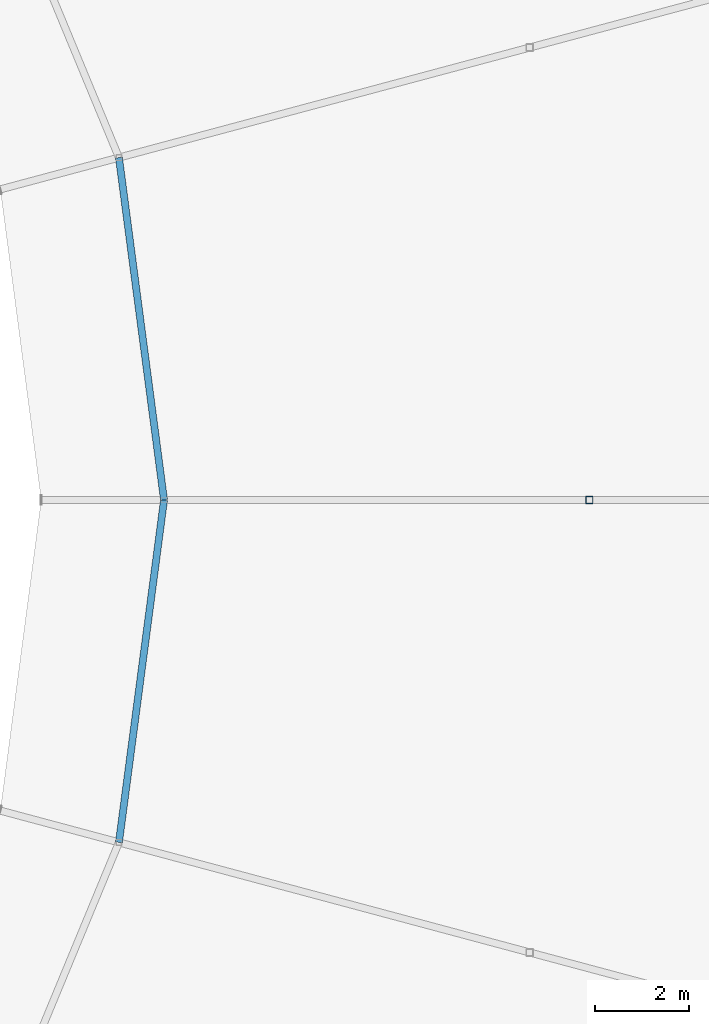
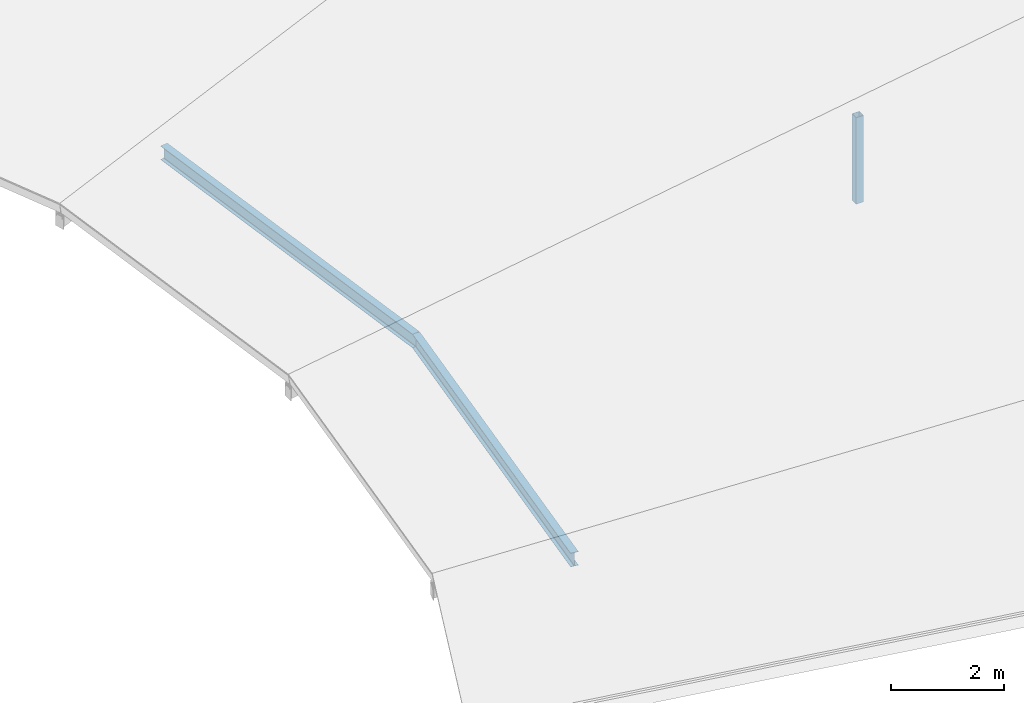
# One storey, part 113 of 200: 2 beams, 1 member.
"""IFC4 building model written with IfcOpenShell, lengths in metres."""

from ifc_helpers import new_model, si_unit, direction, frame, origin, origin_2d, place, context, subcontext, project, spatial, hollow_rectangle, i_section, extrude, material, material_profile, profile_set, type_object, element, save


model = new_model("IFC4")

# Units and contexts
model_context = context("Model", 3, precision=1e-05, world=origin(), true_north=direction((0.0, 1.0)))
body_context = subcontext(model_context, "Body", "Model", "MODEL_VIEW")
ifc_project = project(units=[si_unit("LENGTHUNIT", "METRE"), si_unit("AREAUNIT", "SQUARE_METRE"), si_unit("VOLUMEUNIT", "CUBIC_METRE"), si_unit("PLANEANGLEUNIT", "RADIAN"), si_unit("MASSUNIT", "GRAM", prefix="KILO")], contexts=[model_context])

# Site, building, storey
site_placement = place(None, origin())
site = spatial("IfcSite", under=ifc_project, at=site_placement, CompositionType="ELEMENT")
building_placement = place(site_placement, origin())
building = spatial("IfcBuilding", under=site, at=building_placement, Name="Vondelvale Polytechnic", CompositionType="ELEMENT")
storey_placement = place(building_placement, frame((0.0, 0.0, 13.800048828125)))
storey = spatial("IfcBuildingStorey", under=building, at=storey_placement, Name="L03", CompositionType="ELEMENT", Elevation=13.800048828125)

# Beams
ifc_material_1 = material(Name="Steel 300PLUS (fy = 300 MPa)", Category="steel")
ifc_material_profile_1 = material_profile(ifc_material_1, i_section(OverallWidth=0.14892578125, OverallDepth=0.298095703125, WebThickness=0.005615234375, FlangeThickness=0.008056640625, FilletRadius=0.011474609375, at=origin_2d()), Name="310UB32.0")
ifc_profile_set_1 = profile_set([ifc_material_profile_1], Name="Steel 300PLUS (fy = 300 MPa)")
beam_type = type_object("IfcBeamType", Name="BM-UB310L", PredefinedType="BEAM", material=ifc_profile_set_1)
for number, where, z_axis, x_axis, name in (
    (1, (130.0, 72.0, 0.16259765625), (-0.13053140969, 0.991444174467, 0.0), (-0.991444174467, -0.13053140969, 0.0), "L03 RE B-25"),
    (2, (129.0458984375, 64.753173828125, 0.16259765625), (0.13053140969, 0.991444174467, 0.0), (-0.991444174467, 0.13053140969, 0.0), "L03 RE B-25"),
):
    element("IfcBeam", number, at=place(storey_placement, frame(where, z_axis=z_axis, x_axis=x_axis)), inside=storey, type_object=beam_type, Name=name, PredefinedType="BEAM", context=body_context, shape_type="SweptSolid", body=[
        extrude(i_section(OverallWidth=0.14892578125, OverallDepth=0.298095703125, WebThickness=0.005615234375, FlangeThickness=0.008056640625, FilletRadius=0.011474609375, at=origin_2d()), origin(), (0.0, 0.0, 1.0), 7.309326171875),
    ])

# Member
ifc_material_2 = material(Name="Steel C350L0 (fy = 350 MPa)", Category="steel")
ifc_material_profile_2 = material_profile(ifc_material_2, hollow_rectangle(XDim=0.14990234375, YDim=0.14990234375, WallThickness=0.006103515625, at=origin_2d()), Name="150x150x6.0SHS")
ifc_profile_set_2 = profile_set([ifc_material_profile_2], Name="Steel C350L0 (fy = 350 MPa)")
member_type = type_object("IfcMemberType", Name="ROOF TRUSS POST 150SHS", PredefinedType="POST", material=ifc_profile_set_2)
member_placement = place(storey_placement, frame((139.0, 72.0, 0.0), z_axis=(0.0, 0.0, 1.0), x_axis=(1.0, 0.0, 0.0)))
element("IfcMember", 3, at=member_placement, inside=storey, type_object=member_type, Name="Ring mid roof post 00", PredefinedType="POST", context=body_context, shape_type="SweptSolid", body=[
    extrude(hollow_rectangle(XDim=0.14990234375, YDim=0.14990234375, WallThickness=0.006103515625, at=origin_2d()), origin(), (0.0, 0.0, 1.0), 1.86572265625),
])

save(model, "model.ifc")
